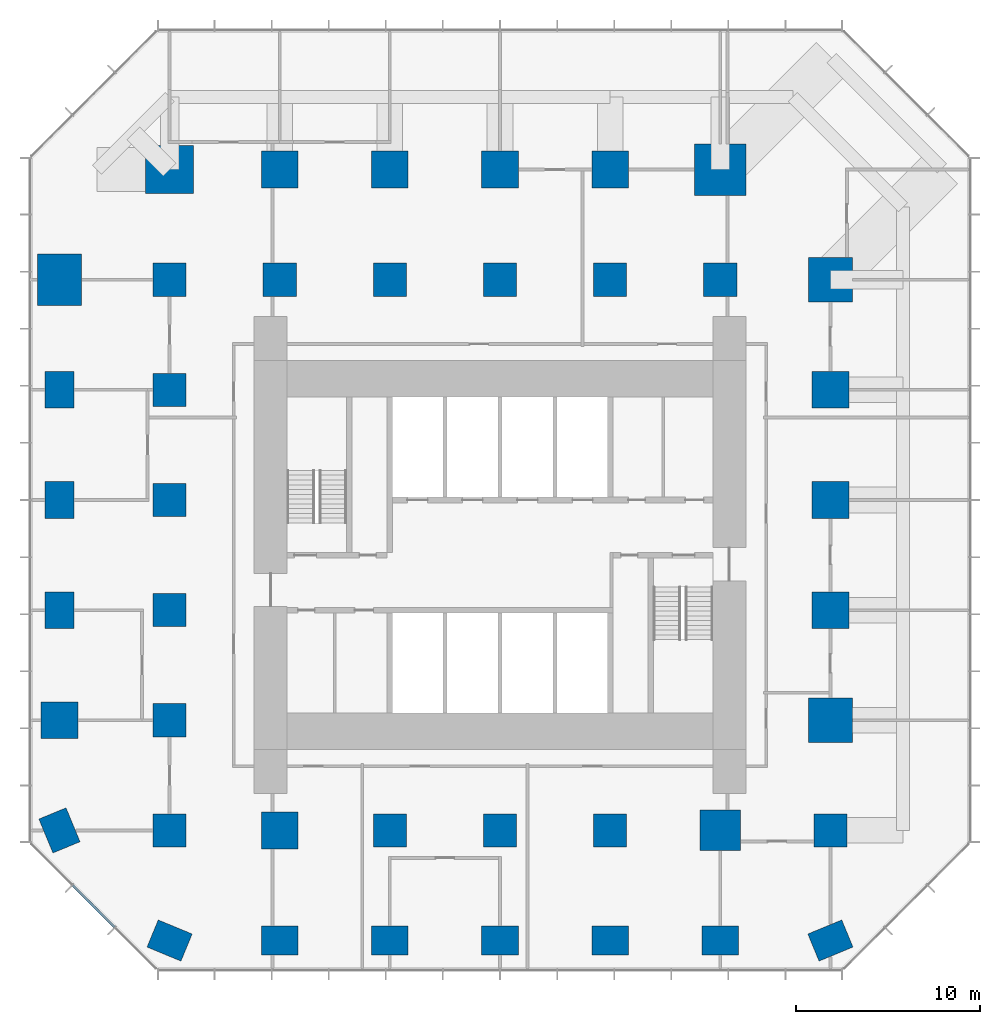
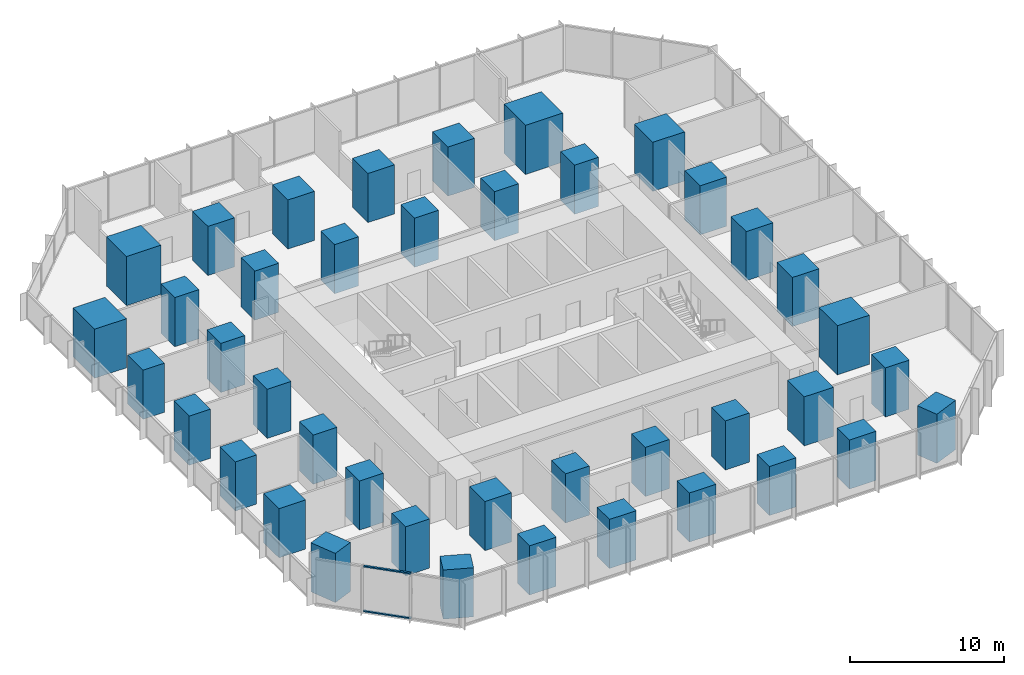
# One storey, part 1 of 13: 41 columns, 2 members, 1 element without a shape of its own.
"""IFC4 building model written with IfcOpenShell, lengths in metres."""

from ifc_helpers import new_model, si_unit, direction, frame, origin, origin_2d, place, context, subcontext, project, spatial, rectangle, extrude, material, layer, layer_set, material_profile, profile_set, type_object, element, aggregate, save


model = new_model("IFC4")

# Units and contexts
model_context = context("Model", 3, precision=1e-05, world=origin(), true_north=direction((0.0, 1.0)))
body_context = subcontext(model_context, "Body", "Model", "MODEL_VIEW")
ifc_project = project(units=[si_unit("LENGTHUNIT", "METRE"), si_unit("AREAUNIT", "SQUARE_METRE"), si_unit("VOLUMEUNIT", "CUBIC_METRE"), si_unit("PLANEANGLEUNIT", "RADIAN"), si_unit("MASSUNIT", "GRAM", prefix="KILO")], contexts=[model_context])

# Site, building, storey
site_placement = place(None, origin())
site = spatial("IfcSite", under=ifc_project, at=site_placement, CompositionType="ELEMENT")
building_placement = place(site_placement, origin())
building = spatial("IfcBuilding", under=site, at=building_placement, Name="Highveld Stack Headquarters", CompositionType="ELEMENT")
storey_placement = place(building_placement, frame((0.0, 0.0, 84.5)))
storey = spatial("IfcBuildingStorey", under=building, at=storey_placement, Name="L20", CompositionType="ELEMENT", Elevation=84.5)

# Columns
ifc_material_1 = material(Name="Concrete C60/75", Category="concrete")
ifc_material_profile_1 = material_profile(ifc_material_1, rectangle(XDim=1.800048828125, YDim=1.800048828125, at=origin_2d()), Name="RC 1800x1800")
ifc_profile_set_1 = profile_set([ifc_material_profile_1], Name="Concrete C60/75")
column_type_1 = type_object("IfcColumnType", Name="COLUMN RC 1800x1800 C60/75", PredefinedType="COLUMN", material=ifc_profile_set_1)
for number, where, z_axis, x_axis, name in (
    (1, (-12.0, -12.0, 0.0), (0.0, 0.0, 1.0), (1.0, 0.0, 0.0), "Column 4/C L20"),
    (2, (-12.0, -6.0, 0.0), (0.0, 0.0, 1.0), (1.0, 0.0, 0.0), "Column 4/D L20"),
    (3, (-12.0, 0.0, 0.0), (0.0, 0.0, 1.0), (1.0, 0.0, 0.0), "Column 4/E L20"),
    (4, (-12.0, 6.0, 0.0), (0.0, 0.0, 1.0), (1.0, 0.0, 0.0), "Column 4/F L20"),
    (5, (-12.0, 12.0, 0.0), (0.0, 0.0, 1.0), (1.0, 0.0, 0.0), "Column 4/G L20"),
    (6, (-12.0, 18.0, 0.0), (0.0, 0.0, 1.0), (1.0, 0.0, 0.0), "Column 4/H L20"),
    (7, (-6.0, 18.0, 0.0), (0.0, 0.0, 1.0), (1.0, 0.0, 0.0), "Column 5/H L20"),
    (8, (0.0, -12.0, 0.0), (0.0, 0.0, 1.0), (1.0, 0.0, 0.0), "Column 6/C L20"),
    (9, (0.0, 18.0, 0.0), (0.0, 0.0, 1.0), (1.0, 0.0, 0.0), "Column 6/H L20"),
    (10, (6.0, -12.0, 0.0), (0.0, 0.0, 1.0), (1.0, 0.0, 0.0), "Column 7/C L20"),
    (11, (6.0, 18.0, 0.0), (0.0, 0.0, 1.0), (1.0, 0.0, 0.0), "Column 7/H L20"),
    (12, (12.0, -12.0, 0.0), (0.0, 0.0, 1.0), (1.0, 0.0, 0.0), "Column 8/C L20"),
    (13, (12.0, 18.0, 0.0), (0.0, 0.0, 1.0), (1.0, 0.0, 0.0), "Column 8/H L20"),
    (14, (18.0, 18.0, 0.0), (0.0, 0.0, 1.0), (1.0, 0.0, 0.0), "Column 9/H L20"),
    (15, (24.0, -12.0, 0.0), (0.0, 0.0, 1.0), (1.0, 0.0, 0.0), "Column 10/C L20"),
):
    element("IfcColumn", number, at=place(storey_placement, frame(where, z_axis=z_axis, x_axis=x_axis)), inside=storey, type_object=column_type_1, Name=name, PredefinedType="COLUMN", context=body_context, shape_type="SweptSolid", body=[
        extrude(rectangle(XDim=1.800048828125, YDim=1.800048828125, at=origin_2d()), origin(), (0.0, 0.0, 1.0), 3.89990234375),
    ])
ifc_material_2 = material(Name="Concrete C60/75", Category="concrete")
ifc_material_profile_2 = material_profile(ifc_material_2, rectangle(XDim=2.0, YDim=1.60009765625, at=origin_2d()), Name="RC 2000x1600")
ifc_profile_set_2 = profile_set([ifc_material_profile_2], Name="Concrete C60/75")
column_type_2 = type_object("IfcColumnType", Name="COLUMN RC 2000x1600 C60/75", PredefinedType="COLUMN", material=ifc_profile_set_2)
for number, where, z_axis, x_axis, name in (
    (16, (-18.0, -12.0, 0.0), (0.0, 0.0, 1.0), (-0.382683432365, 0.923879532511, 0.0), "Column 3/C L20"),
    (17, (-18.0, 0.0, 0.0), (0.0, 0.0, 1.0), (0.0, 1.0, 0.0), "Column 3/E L20"),
    (18, (-18.0, 6.0, 0.0), (0.0, 0.0, 1.0), (0.0, 1.0, 0.0), "Column 3/F L20"),
    (19, (-18.0, 12.0, 0.0), (0.0, 0.0, 1.0), (0.0, 1.0, 0.0), "Column 3/G L20"),
    (20, (-12.0, -18.0, 0.0), (0.0, 0.0, 1.0), (-0.923879532511, 0.382683432365, 0.0), "Column 4/B L20"),
    (21, (-6.0, -18.0, 0.0), (0.0, 0.0, 1.0), (1.0, 0.0, 0.0), "Column 5/B L20"),
    (22, (0.0, -18.0, 0.0), (0.0, 0.0, 1.0), (1.0, 0.0, 0.0), "Column 6/B L20"),
    (23, (6.0, -18.0, 0.0), (0.0, 0.0, 1.0), (1.0, 0.0, 0.0), "Column 7/B L20"),
    (24, (12.0, -18.0, 0.0), (0.0, 0.0, 1.0), (1.0, 0.0, 0.0), "Column 8/B L20"),
    (25, (18.0, -18.0, 0.0), (0.0, 0.0, 1.0), (1.0, 0.0, 0.0), "Column 9/B L20"),
    (26, (24.0, -18.0, 0.0), (0.0, 0.0, 1.0), (-0.923879532511, -0.382683432365, 0.0), "Column 10/B L20"),
):
    element("IfcColumn", number, at=place(storey_placement, frame(where, z_axis=z_axis, x_axis=x_axis)), inside=storey, type_object=column_type_2, Name=name, PredefinedType="COLUMN", context=body_context, shape_type="SweptSolid", body=[
        extrude(rectangle(XDim=2.0, YDim=1.60009765625, at=origin_2d()), origin(), (0.0, 0.0, 1.0), 3.89990234375),
    ])
ifc_material_3 = material(Name="Concrete C60/75", Category="concrete")
ifc_material_profile_3 = material_profile(ifc_material_3, rectangle(XDim=2.0, YDim=2.0, at=origin_2d()), Name="RC 2000x2000")
ifc_profile_set_3 = profile_set([ifc_material_profile_3], Name="Concrete C60/75")
column_type_3 = type_object("IfcColumnType", Name="COLUMN RC 2000x2000 C60/75", PredefinedType="COLUMN", material=ifc_profile_set_3)
for number, where, z_axis, x_axis, name in (
    (27, (-18.0, -6.0, 0.0), (0.0, 0.0, 1.0), (1.0, 0.0, 0.0), "Column 3/D L20"),
    (28, (-6.0, -12.0, 0.0), (0.0, 0.0, 1.0), (1.0, 0.0, 0.0), "Column 5/C L20"),
    (29, (-6.0, 24.0, 0.0), (0.0, 0.0, 1.0), (1.0, 0.0, 0.0), "Column 5/J L20"),
    (30, (0.0, 24.0, 0.0), (0.0, 0.0, 1.0), (1.0, 0.0, 0.0), "Column 6/J L20"),
    (31, (6.0, 24.0, 0.0), (0.0, 0.0, 1.0), (1.0, 0.0, 0.0), "Column 7/J L20"),
    (32, (12.0, 24.0, 0.0), (0.0, 0.0, 1.0), (1.0, 0.0, 0.0), "Column 8/J L20"),
    (33, (24.0, 0.0, 0.0), (0.0, 0.0, 1.0), (1.0, 0.0, 0.0), "Column 10/E L20"),
    (34, (24.0, 6.0, 0.0), (0.0, 0.0, 1.0), (1.0, 0.0, 0.0), "Column 10/F L20"),
    (35, (24.0, 12.0, 0.0), (0.0, 0.0, 1.0), (1.0, 0.0, 0.0), "Column 10/G L20"),
):
    element("IfcColumn", number, at=place(storey_placement, frame(where, z_axis=z_axis, x_axis=x_axis)), inside=storey, type_object=column_type_3, Name=name, PredefinedType="COLUMN", context=body_context, shape_type="SweptSolid", body=[
        extrude(rectangle(XDim=2.0, YDim=2.0, at=origin_2d()), origin(), (0.0, 0.0, 1.0), 3.89990234375),
    ])
ifc_material_4 = material(Name="Concrete C60/75", Category="concrete")
ifc_material_profile_4 = material_profile(ifc_material_4, rectangle(XDim=2.199951171875, YDim=2.199951171875, at=origin_2d()), Name="RC 2200x2200")
ifc_profile_set_4 = profile_set([ifc_material_profile_4], Name="Concrete C60/75")
column_type_4 = type_object("IfcColumnType", Name="COLUMN RC 2200x2200 C60/75", PredefinedType="COLUMN", material=ifc_profile_set_4)
column_1_placement = place(storey_placement, frame((18.0, -12.0, 0.0), z_axis=(0.0, 0.0, 1.0), x_axis=(1.0, 0.0, 0.0)))
element("IfcColumn", 36, at=column_1_placement, inside=storey, type_object=column_type_4, Name="Column 9/C L20", PredefinedType="COLUMN", context=body_context, shape_type="SweptSolid", body=[
    extrude(rectangle(XDim=2.199951171875, YDim=2.199951171875, at=origin_2d()), origin(), (0.0, 0.0, 1.0), 3.89990234375),
])
ifc_material_5 = material(Name="Concrete C60/75", Category="concrete")
ifc_material_profile_5 = material_profile(ifc_material_5, rectangle(XDim=2.39990234375, YDim=2.39990234375, at=origin_2d()), Name="RC 2400x2400")
ifc_profile_set_5 = profile_set([ifc_material_profile_5], Name="Concrete C60/75")
column_type_5 = type_object("IfcColumnType", Name="COLUMN RC 2400x2400 C60/75", PredefinedType="COLUMN", material=ifc_profile_set_5)
for number, where, z_axis, x_axis, name in (
    (37, (24.0, -6.0, 0.0), (0.0, 0.0, 1.0), (1.0, 0.0, 0.0), "Column 10/D L20"),
    (38, (24.0, 18.0, 0.0), (0.0, 0.0, 1.0), (1.0, 0.0, 0.0), "Column 10/H L20"),
):
    element("IfcColumn", number, at=place(storey_placement, frame(where, z_axis=z_axis, x_axis=x_axis)), inside=storey, type_object=column_type_5, Name=name, PredefinedType="COLUMN", context=body_context, shape_type="SweptSolid", body=[
        extrude(rectangle(XDim=2.39990234375, YDim=2.39990234375, at=origin_2d()), origin(), (0.0, 0.0, 1.0), 3.89990234375),
    ])
ifc_material_6 = material(Name="Concrete C60/75", Category="concrete")
ifc_material_profile_6 = material_profile(ifc_material_6, rectangle(XDim=2.60009765625, YDim=2.60009765625, at=origin_2d()), Name="RC 2600x2600")
ifc_profile_set_6 = profile_set([ifc_material_profile_6], Name="Concrete C60/75")
column_type_6 = type_object("IfcColumnType", Name="COLUMN RC 2600x2600 C60/75", PredefinedType="COLUMN", material=ifc_profile_set_6)
column_2_placement = place(storey_placement, frame((-12.0, 24.0, 0.0), z_axis=(0.0, 0.0, 1.0), x_axis=(1.0, 0.0, 0.0)))
element("IfcColumn", 39, at=column_2_placement, inside=storey, type_object=column_type_6, Name="Column 4/J L20", PredefinedType="COLUMN", context=body_context, shape_type="SweptSolid", body=[
    extrude(rectangle(XDim=2.60009765625, YDim=2.60009765625, at=origin_2d()), origin(), (0.0, 0.0, 1.0), 3.89990234375),
])
ifc_material_7 = material(Name="Concrete C60/75", Category="concrete")
ifc_material_profile_7 = material_profile(ifc_material_7, rectangle(XDim=2.800048828125, YDim=2.39990234375, at=origin_2d()), Name="RC 2800x2400")
ifc_profile_set_7 = profile_set([ifc_material_profile_7], Name="Concrete C60/75")
column_type_7 = type_object("IfcColumnType", Name="COLUMN RC 2800x2400 C60/75", PredefinedType="COLUMN", material=ifc_profile_set_7)
column_3_placement = place(storey_placement, frame((-18.0, 18.0, 0.0), z_axis=(0.0, 0.0, 1.0), x_axis=(0.0, 1.0, 0.0)))
element("IfcColumn", 40, at=column_3_placement, inside=storey, type_object=column_type_7, Name="Column 3/H L20", PredefinedType="COLUMN", context=body_context, shape_type="SweptSolid", body=[
    extrude(rectangle(XDim=2.800048828125, YDim=2.39990234375, at=origin_2d()), origin(), (0.0, 0.0, 1.0), 3.89990234375),
])
ifc_material_8 = material(Name="Concrete C60/75", Category="concrete")
ifc_material_profile_8 = material_profile(ifc_material_8, rectangle(XDim=2.800048828125, YDim=2.800048828125, at=origin_2d()), Name="RC 2800x2800")
ifc_profile_set_8 = profile_set([ifc_material_profile_8], Name="Concrete C60/75")
column_type_8 = type_object("IfcColumnType", Name="COLUMN RC 2800x2800 C60/75", PredefinedType="COLUMN", material=ifc_profile_set_8)
column_4_placement = place(storey_placement, frame((18.0, 24.0, 0.0), z_axis=(0.0, 0.0, 1.0), x_axis=(1.0, 0.0, 0.0)))
element("IfcColumn", 41, at=column_4_placement, inside=storey, type_object=column_type_8, Name="Column 9/J L20", PredefinedType="COLUMN", context=body_context, shape_type="SweptSolid", body=[
    extrude(rectangle(XDim=2.800048828125, YDim=2.800048828125, at=origin_2d()), origin(), (0.0, 0.0, 1.0), 3.89990234375),
])

# Curtain wall, members
ifc_material_9 = material(Name="Aluminium bronze anodised", Category="aluminium")
ifc_layer = layer(ifc_material_9, 0.199951171875)
ifc_layer_set = layer_set([ifc_layer], Name="Aluminium bronze anodised")
curtain_wall_type = type_object("IfcCurtainWallType", Name="CW2 TOWER CHAMFER UNITISED CURTAIN WALL", PredefinedType="NOTDEFINED", material=ifc_layer_set)
curtain_wall_placement = place(storey_placement, origin())
curtain_wall = element("IfcCurtainWall", 42, at=curtain_wall_placement, inside=storey, type_object=curtain_wall_type, Name="Curtain wall CW2 L20 SW", PredefinedType="NOTDEFINED")
ifc_material_10 = material(Name="Aluminium bronze anodised", Category="aluminium")
ifc_material_profile_9 = material_profile(ifc_material_10, rectangle(XDim=0.14990234375, YDim=0.10009765625, at=origin_2d()), Name="CW2 TRANSOM 150x100")
ifc_profile_set_9 = profile_set([ifc_material_profile_9], Name="Aluminium bronze anodised")
member_type = type_object("IfcMemberType", Name="CW2 STACK TRANSOM 150x100", PredefinedType="USERDEFINED", material=ifc_profile_set_9)
member_1_placement = place(storey_placement, frame((-17.2646484375, -14.998046875, 0.050048828125), z_axis=(0.707106781187, -0.707106781187, 0.0), x_axis=(0.707106781187, 0.707106781187, 0.0)))
member_1 = element("IfcMember", 43, at=member_1_placement, type_object=member_type, Name="CW2 transom L20 2.1", ObjectType="TRANSOM", PredefinedType="USERDEFINED", context=body_context, shape_type="SweptSolid", body=[
    extrude(rectangle(XDim=0.14990234375, YDim=0.10009765625, at=origin_2d()), origin(), (0.0, 0.0, 1.0), 3.20556640625),
])
member_2_placement = place(storey_placement, frame((-17.2646484375, -14.998046875, 3.60009765625), z_axis=(0.707106781187, -0.707106781187, 0.0), x_axis=(0.707106781187, 0.707106781187, 0.0)))
member_2 = element("IfcMember", 44, at=member_2_placement, type_object=member_type, Name="CW2 transom L20 2.2", ObjectType="TRANSOM", PredefinedType="USERDEFINED", context=body_context, shape_type="SweptSolid", body=[
    extrude(rectangle(XDim=0.14990234375, YDim=0.10009765625, at=origin_2d()), origin(), (0.0, 0.0, 1.0), 3.20556640625),
])
aggregate(curtain_wall, [member_1, member_2])

save(model, "model.ifc")
